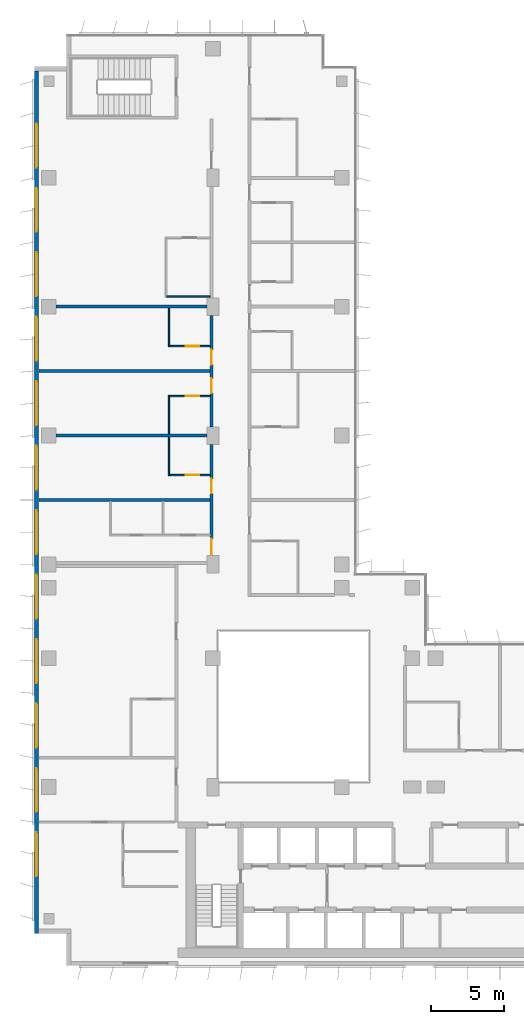
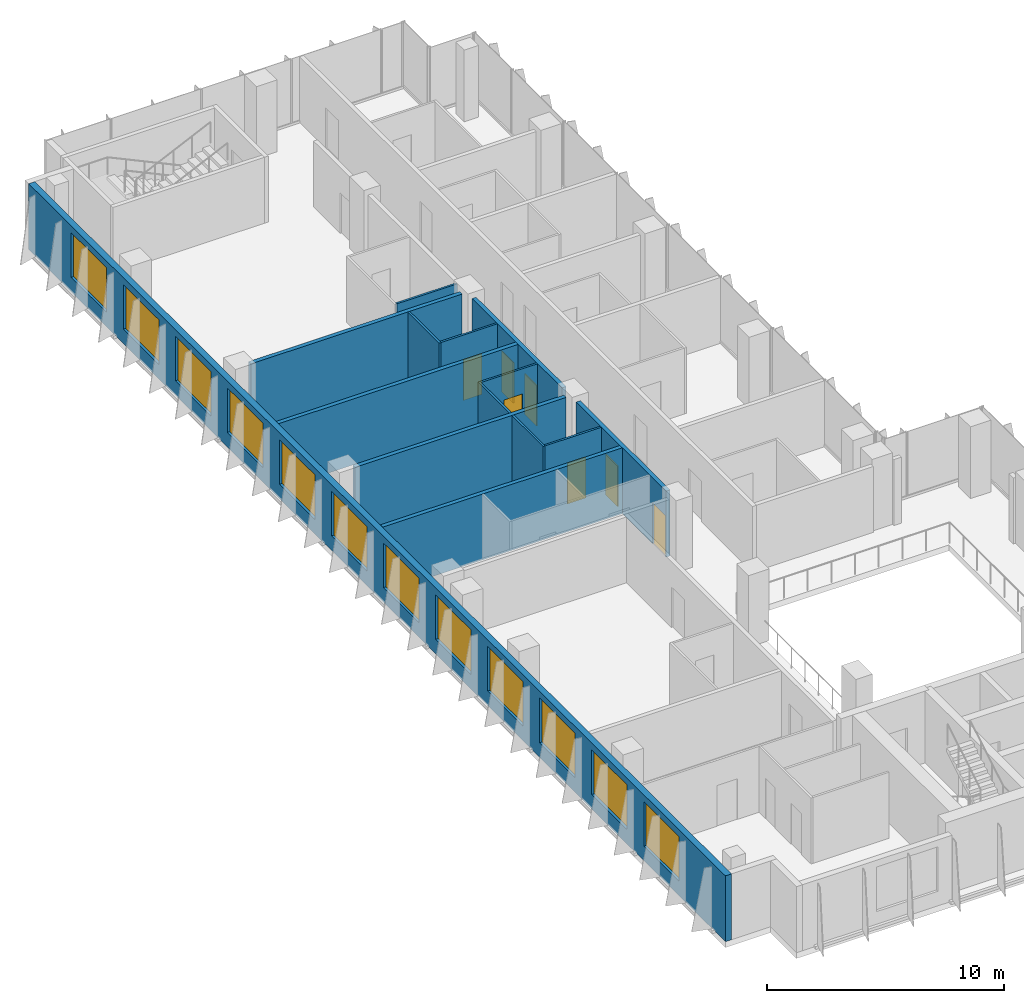
# One storey, part 16 of 21: 14 walls, 12 windows, 7 doors, 19 openings.
"""IFC4 building model written with IfcOpenShell, lengths in metres."""

from ifc_helpers import new_model, si_unit, direction, frame, frame_2d, origin, place, context, subcontext, project, spatial, rectangle, extrude, material, layer, layer_set, type_object, element, fill, save


model = new_model("IFC4")

# Units and contexts
model_context = context("Model", 3, precision=1e-05, world=origin(), true_north=direction((0.0, 1.0)))
body_context = subcontext(model_context, "Body", "Model", "MODEL_VIEW")
ifc_project = project(units=[si_unit("LENGTHUNIT", "METRE"), si_unit("AREAUNIT", "SQUARE_METRE"), si_unit("VOLUMEUNIT", "CUBIC_METRE"), si_unit("PLANEANGLEUNIT", "RADIAN"), si_unit("MASSUNIT", "GRAM", prefix="KILO")], contexts=[model_context])

# Site, building, storey
site_placement = place(None, origin())
site = spatial("IfcSite", under=ifc_project, at=site_placement, CompositionType="ELEMENT")
building_placement = place(site_placement, origin())
building = spatial("IfcBuilding", under=site, at=building_placement, Name="Kemantara Hotel Tower", CompositionType="ELEMENT")
storey_placement = place(building_placement, frame((0.0, 0.0, 164.199951171875)))
storey = spatial("IfcBuildingStorey", under=building, at=storey_placement, Name="L40", CompositionType="ELEMENT", Elevation=164.199951171875)

# Wall, openings, windows
ifc_material_1 = material(Name="Bronze anodised aluminium cladding on insulated steel stud wall", Category="steel")
ifc_layer_1 = layer(ifc_material_1, 0.300048828125)
ifc_layer_set_1 = layer_set([ifc_layer_1], Name="Bronze anodised aluminium cladding on insulated steel stud wall")
wall_type_1 = type_object("IfcWallType", Name="BRONZE METAL-CLAD EXTERNAL WALL 300", PredefinedType="STANDARD", material=ifc_layer_set_1)
wall_1_placement = place(storey_placement, frame((0.14990234375, 61.10009765625, 0.0), z_axis=(0.0, 0.0, 1.0), x_axis=(0.0, -1.0, 0.0)))
wall_1 = element("IfcWall", 1, at=wall_1_placement, inside=storey, type_object=wall_type_1, Name="EXTERNAL WALL L40 T3-R05", PredefinedType="STANDARD", context=body_context, shape_type="SweptSolid", body=[
    extrude(rectangle(XDim=58.900146484375, YDim=0.300048828125, at=frame_2d((29.4501953125, 0.0))), origin(), (0.0, 0.0, 1.0), 3.400146484375),
])
opening_1_placement = place(wall_1_placement, frame((3.60009765625, 0.0, 0.75)))
opening_1 = element("IfcOpeningElement", 2, at=opening_1_placement, cuts=wall_1, Name="Opening W1", PredefinedType="OPENING", context=body_context, shape_type="SweptSolid", body=[
    extrude(rectangle(XDim=3.0, YDim=2.300048828125, at=frame_2d((1.5, 1.14990234375))), frame((0.0, 0.159912109375, 0.0), z_axis=(0.0, -1.0, 0.0), x_axis=(1.0, 0.0, 0.0)), (0.0, 0.0, 1.0), 0.320068359375),
])
opening_2_placement = place(wall_1_placement, frame((8.0, 0.0, 0.75)))
opening_2 = element("IfcOpeningElement", 3, at=opening_2_placement, cuts=wall_1, Name="Opening W1", PredefinedType="OPENING", context=body_context, shape_type="SweptSolid", body=[
    extrude(rectangle(XDim=3.0, YDim=2.300048828125, at=frame_2d((1.5, 1.14990234375))), frame((0.0, 0.159912109375, 0.0), z_axis=(0.0, -1.0, 0.0), x_axis=(1.0, 0.0, 0.0)), (0.0, 0.0, 1.0), 0.320068359375),
])
opening_3_placement = place(wall_1_placement, frame((12.39990234375, 0.0, 0.75)))
opening_3 = element("IfcOpeningElement", 4, at=opening_3_placement, cuts=wall_1, Name="Opening W1", PredefinedType="OPENING", context=body_context, shape_type="SweptSolid", body=[
    extrude(rectangle(XDim=3.0, YDim=2.300048828125, at=frame_2d((1.5, 1.14990234375))), frame((0.0, 0.159912109375, 0.0), z_axis=(0.0, -1.0, 0.0), x_axis=(1.0, 0.0, 0.0)), (0.0, 0.0, 1.0), 0.320068359375),
])
opening_4_placement = place(wall_1_placement, frame((16.800048828125, 0.0, 0.75)))
opening_4 = element("IfcOpeningElement", 5, at=opening_4_placement, cuts=wall_1, Name="Opening W1", PredefinedType="OPENING", context=body_context, shape_type="SweptSolid", body=[
    extrude(rectangle(XDim=3.0, YDim=2.300048828125, at=frame_2d((1.5, 1.14990234375))), frame((0.0, 0.159912109375, 0.0), z_axis=(0.0, -1.0, 0.0), x_axis=(1.0, 0.0, 0.0)), (0.0, 0.0, 1.0), 0.320068359375),
])
opening_5_placement = place(wall_1_placement, frame((21.199951171875, 0.0, 0.75)))
opening_5 = element("IfcOpeningElement", 6, at=opening_5_placement, cuts=wall_1, Name="Opening W1", PredefinedType="OPENING", context=body_context, shape_type="SweptSolid", body=[
    extrude(rectangle(XDim=3.0, YDim=2.300048828125, at=frame_2d((1.5, 1.14990234375))), frame((0.0, 0.159912109375, 0.0), z_axis=(0.0, -1.0, 0.0), x_axis=(1.0, 0.0, 0.0)), (0.0, 0.0, 1.0), 0.320068359375),
])
opening_6_placement = place(wall_1_placement, frame((25.60009765625, 0.0, 0.75)))
opening_6 = element("IfcOpeningElement", 7, at=opening_6_placement, cuts=wall_1, Name="Opening W1", PredefinedType="OPENING", context=body_context, shape_type="SweptSolid", body=[
    extrude(rectangle(XDim=3.0, YDim=2.300048828125, at=frame_2d((1.5, 1.14990234375))), frame((0.0, 0.159912109375, 0.0), z_axis=(0.0, -1.0, 0.0), x_axis=(1.0, 0.0, 0.0)), (0.0, 0.0, 1.0), 0.320068359375),
])
opening_7_placement = place(wall_1_placement, frame((30.0, 0.0, 0.75)))
opening_7 = element("IfcOpeningElement", 8, at=opening_7_placement, cuts=wall_1, Name="Opening W1", PredefinedType="OPENING", context=body_context, shape_type="SweptSolid", body=[
    extrude(rectangle(XDim=3.0, YDim=2.300048828125, at=frame_2d((1.5, 1.14990234375))), frame((0.0, 0.159912109375, 0.0), z_axis=(0.0, -1.0, 0.0), x_axis=(1.0, 0.0, 0.0)), (0.0, 0.0, 1.0), 0.320068359375),
])
opening_8_placement = place(wall_1_placement, frame((34.39990234375, 0.0, 0.75)))
opening_8 = element("IfcOpeningElement", 9, at=opening_8_placement, cuts=wall_1, Name="Opening W1", PredefinedType="OPENING", context=body_context, shape_type="SweptSolid", body=[
    extrude(rectangle(XDim=3.0, YDim=2.300048828125, at=frame_2d((1.5, 1.14990234375))), frame((0.0, 0.159912109375, 0.0), z_axis=(0.0, -1.0, 0.0), x_axis=(1.0, 0.0, 0.0)), (0.0, 0.0, 1.0), 0.320068359375),
])
opening_9_placement = place(wall_1_placement, frame((38.800048828125, 0.0, 0.75)))
opening_9 = element("IfcOpeningElement", 10, at=opening_9_placement, cuts=wall_1, Name="Opening W1", PredefinedType="OPENING", context=body_context, shape_type="SweptSolid", body=[
    extrude(rectangle(XDim=3.0, YDim=2.300048828125, at=frame_2d((1.5, 1.14990234375))), frame((0.0, 0.159912109375, 0.0), z_axis=(0.0, -1.0, 0.0), x_axis=(1.0, 0.0, 0.0)), (0.0, 0.0, 1.0), 0.320068359375),
])
opening_10_placement = place(wall_1_placement, frame((43.199951171875, 0.0, 0.75)))
opening_10 = element("IfcOpeningElement", 11, at=opening_10_placement, cuts=wall_1, Name="Opening W1", PredefinedType="OPENING", context=body_context, shape_type="SweptSolid", body=[
    extrude(rectangle(XDim=3.0, YDim=2.300048828125, at=frame_2d((1.5, 1.14990234375))), frame((0.0, 0.159912109375, 0.0), z_axis=(0.0, -1.0, 0.0), x_axis=(1.0, 0.0, 0.0)), (0.0, 0.0, 1.0), 0.320068359375),
])
opening_11_placement = place(wall_1_placement, frame((47.60009765625, 0.0, 0.75)))
opening_11 = element("IfcOpeningElement", 12, at=opening_11_placement, cuts=wall_1, Name="Opening W1", PredefinedType="OPENING", context=body_context, shape_type="SweptSolid", body=[
    extrude(rectangle(XDim=3.0, YDim=2.300048828125, at=frame_2d((1.5, 1.14990234375))), frame((0.0, 0.159912109375, 0.0), z_axis=(0.0, -1.0, 0.0), x_axis=(1.0, 0.0, 0.0)), (0.0, 0.0, 1.0), 0.320068359375),
])
opening_12_placement = place(wall_1_placement, frame((52.0, 0.0, 0.75)))
opening_12 = element("IfcOpeningElement", 13, at=opening_12_placement, cuts=wall_1, Name="Opening W1", PredefinedType="OPENING", context=body_context, shape_type="SweptSolid", body=[
    extrude(rectangle(XDim=3.0, YDim=2.300048828125, at=frame_2d((1.5, 1.14990234375))), frame((0.0, 0.159912109375, 0.0), z_axis=(0.0, -1.0, 0.0), x_axis=(1.0, 0.0, 0.0)), (0.0, 0.0, 1.0), 0.320068359375),
])
ifc_material_2 = material(Name="Low-E tinted double insulated glass in bronze anodised aluminium frame", Category="aluminium")
window_type = type_object("IfcWindowType", Name="CHICAGO WINDOW, TRIPLE PANEL 3000x2300", PartitioningType="TRIPLE_PANEL_VERTICAL", PredefinedType="WINDOW", material=ifc_material_2)
window_1_placement = place(opening_1_placement, origin())
window_1 = element("IfcWindow", 14, at=window_1_placement, inside=storey, type_object=window_type, Name="CHICAGO WINDOW L40 T3-R05-54", OverallHeight=2.300048828125, OverallWidth=3.0, PartitioningType="SINGLE_PANEL", PredefinedType="WINDOW", context=body_context, shape_type="SweptSolid", body=[
    extrude(rectangle(XDim=3.0, YDim=2.300048828125, at=frame_2d((1.5, 1.14990234375))), frame((0.0, 0.030029296875, 0.0), z_axis=(0.0, -1.0, 0.0), x_axis=(1.0, 0.0, 0.0)), (0.0, 0.0, 1.0), 0.06005859375),
])
fill(opening_1, window_1)
window_2_placement = place(opening_2_placement, origin())
window_2 = element("IfcWindow", 15, at=window_2_placement, inside=storey, type_object=window_type, Name="CHICAGO WINDOW L40 T3-R05-98", OverallHeight=2.300048828125, OverallWidth=3.0, PartitioningType="SINGLE_PANEL", PredefinedType="WINDOW", context=body_context, shape_type="SweptSolid", body=[
    extrude(rectangle(XDim=3.0, YDim=2.300048828125, at=frame_2d((1.5, 1.14990234375))), frame((0.0, 0.030029296875, 0.0), z_axis=(0.0, -1.0, 0.0), x_axis=(1.0, 0.0, 0.0)), (0.0, 0.0, 1.0), 0.06005859375),
])
fill(opening_2, window_2)
window_3_placement = place(opening_3_placement, origin())
window_3 = element("IfcWindow", 16, at=window_3_placement, inside=storey, type_object=window_type, Name="CHICAGO WINDOW L40 T3-R05-142", OverallHeight=2.300048828125, OverallWidth=3.0, PartitioningType="SINGLE_PANEL", PredefinedType="WINDOW", context=body_context, shape_type="SweptSolid", body=[
    extrude(rectangle(XDim=3.0, YDim=2.300048828125, at=frame_2d((1.5, 1.14990234375))), frame((0.0, 0.030029296875, 0.0), z_axis=(0.0, -1.0, 0.0), x_axis=(1.0, 0.0, 0.0)), (0.0, 0.0, 1.0), 0.06005859375),
])
fill(opening_3, window_3)
window_4_placement = place(opening_4_placement, origin())
window_4 = element("IfcWindow", 17, at=window_4_placement, inside=storey, type_object=window_type, Name="CHICAGO WINDOW L40 T3-R05-186", OverallHeight=2.300048828125, OverallWidth=3.0, PartitioningType="SINGLE_PANEL", PredefinedType="WINDOW", context=body_context, shape_type="SweptSolid", body=[
    extrude(rectangle(XDim=3.0, YDim=2.300048828125, at=frame_2d((1.5, 1.14990234375))), frame((0.0, 0.030029296875, 0.0), z_axis=(0.0, -1.0, 0.0), x_axis=(1.0, 0.0, 0.0)), (0.0, 0.0, 1.0), 0.06005859375),
])
fill(opening_4, window_4)
window_5_placement = place(opening_5_placement, origin())
window_5 = element("IfcWindow", 18, at=window_5_placement, inside=storey, type_object=window_type, Name="CHICAGO WINDOW L40 T3-R05-230", OverallHeight=2.300048828125, OverallWidth=3.0, PartitioningType="SINGLE_PANEL", PredefinedType="WINDOW", context=body_context, shape_type="SweptSolid", body=[
    extrude(rectangle(XDim=3.0, YDim=2.300048828125, at=frame_2d((1.5, 1.14990234375))), frame((0.0, 0.030029296875, 0.0), z_axis=(0.0, -1.0, 0.0), x_axis=(1.0, 0.0, 0.0)), (0.0, 0.0, 1.0), 0.06005859375),
])
fill(opening_5, window_5)
window_6_placement = place(opening_6_placement, origin())
window_6 = element("IfcWindow", 19, at=window_6_placement, inside=storey, type_object=window_type, Name="CHICAGO WINDOW L40 T3-R05-274", OverallHeight=2.300048828125, OverallWidth=3.0, PartitioningType="SINGLE_PANEL", PredefinedType="WINDOW", context=body_context, shape_type="SweptSolid", body=[
    extrude(rectangle(XDim=3.0, YDim=2.300048828125, at=frame_2d((1.5, 1.14990234375))), frame((0.0, 0.030029296875, 0.0), z_axis=(0.0, -1.0, 0.0), x_axis=(1.0, 0.0, 0.0)), (0.0, 0.0, 1.0), 0.06005859375),
])
fill(opening_6, window_6)
window_7_placement = place(opening_7_placement, origin())
window_7 = element("IfcWindow", 20, at=window_7_placement, inside=storey, type_object=window_type, Name="CHICAGO WINDOW L40 T3-R05-318", OverallHeight=2.300048828125, OverallWidth=3.0, PartitioningType="SINGLE_PANEL", PredefinedType="WINDOW", context=body_context, shape_type="SweptSolid", body=[
    extrude(rectangle(XDim=3.0, YDim=2.300048828125, at=frame_2d((1.5, 1.14990234375))), frame((0.0, 0.030029296875, 0.0), z_axis=(0.0, -1.0, 0.0), x_axis=(1.0, 0.0, 0.0)), (0.0, 0.0, 1.0), 0.06005859375),
])
fill(opening_7, window_7)
window_8_placement = place(opening_8_placement, origin())
window_8 = element("IfcWindow", 21, at=window_8_placement, inside=storey, type_object=window_type, Name="CHICAGO WINDOW L40 T3-R05-362", OverallHeight=2.300048828125, OverallWidth=3.0, PartitioningType="SINGLE_PANEL", PredefinedType="WINDOW", context=body_context, shape_type="SweptSolid", body=[
    extrude(rectangle(XDim=3.0, YDim=2.300048828125, at=frame_2d((1.5, 1.14990234375))), frame((0.0, 0.030029296875, 0.0), z_axis=(0.0, -1.0, 0.0), x_axis=(1.0, 0.0, 0.0)), (0.0, 0.0, 1.0), 0.06005859375),
])
fill(opening_8, window_8)
window_9_placement = place(opening_9_placement, origin())
window_9 = element("IfcWindow", 22, at=window_9_placement, inside=storey, type_object=window_type, Name="CHICAGO WINDOW L40 T3-R05-406", OverallHeight=2.300048828125, OverallWidth=3.0, PartitioningType="SINGLE_PANEL", PredefinedType="WINDOW", context=body_context, shape_type="SweptSolid", body=[
    extrude(rectangle(XDim=3.0, YDim=2.300048828125, at=frame_2d((1.5, 1.14990234375))), frame((0.0, 0.030029296875, 0.0), z_axis=(0.0, -1.0, 0.0), x_axis=(1.0, 0.0, 0.0)), (0.0, 0.0, 1.0), 0.06005859375),
])
fill(opening_9, window_9)
window_10_placement = place(opening_10_placement, origin())
window_10 = element("IfcWindow", 23, at=window_10_placement, inside=storey, type_object=window_type, Name="CHICAGO WINDOW L40 T3-R05-450", OverallHeight=2.300048828125, OverallWidth=3.0, PartitioningType="SINGLE_PANEL", PredefinedType="WINDOW", context=body_context, shape_type="SweptSolid", body=[
    extrude(rectangle(XDim=3.0, YDim=2.300048828125, at=frame_2d((1.5, 1.14990234375))), frame((0.0, 0.030029296875, 0.0), z_axis=(0.0, -1.0, 0.0), x_axis=(1.0, 0.0, 0.0)), (0.0, 0.0, 1.0), 0.06005859375),
])
fill(opening_10, window_10)
window_11_placement = place(opening_11_placement, origin())
window_11 = element("IfcWindow", 24, at=window_11_placement, inside=storey, type_object=window_type, Name="CHICAGO WINDOW L40 T3-R05-494", OverallHeight=2.300048828125, OverallWidth=3.0, PartitioningType="SINGLE_PANEL", PredefinedType="WINDOW", context=body_context, shape_type="SweptSolid", body=[
    extrude(rectangle(XDim=3.0, YDim=2.300048828125, at=frame_2d((1.5, 1.14990234375))), frame((0.0, 0.030029296875, 0.0), z_axis=(0.0, -1.0, 0.0), x_axis=(1.0, 0.0, 0.0)), (0.0, 0.0, 1.0), 0.06005859375),
])
fill(opening_11, window_11)
window_12_placement = place(opening_12_placement, origin())
window_12 = element("IfcWindow", 25, at=window_12_placement, inside=storey, type_object=window_type, Name="CHICAGO WINDOW L40 T3-R05-538", OverallHeight=2.300048828125, OverallWidth=3.0, PartitioningType="SINGLE_PANEL", PredefinedType="WINDOW", context=body_context, shape_type="SweptSolid", body=[
    extrude(rectangle(XDim=3.0, YDim=2.300048828125, at=frame_2d((1.5, 1.14990234375))), frame((0.0, 0.030029296875, 0.0), z_axis=(0.0, -1.0, 0.0), x_axis=(1.0, 0.0, 0.0)), (0.0, 0.0, 1.0), 0.06005859375),
])
fill(opening_12, window_12)

# Wall, openings, doors
ifc_material_3 = material(Name="Gypsum board partition, steel studs and mineral wool, 200 mm", Category="steel")
ifc_layer_2 = layer(ifc_material_3, 0.199951171875)
ifc_layer_set_2 = layer_set([ifc_layer_2], Name="Gypsum board partition, steel studs and mineral wool, 200 mm")
wall_type_2 = type_object("IfcWallType", Name="CORRIDOR WALL 200", PredefinedType="PARTITIONING", material=ifc_layer_set_2)
wall_2_placement = place(storey_placement, frame((12.10009765625, 28.0, 0.0), z_axis=(0.0, 0.0, 1.0), x_axis=(0.0, 1.0, 0.0)))
wall_2 = element("IfcWall", 26, at=wall_2_placement, inside=storey, type_object=wall_type_2, Name="CORRIDOR WALL 200 015", PredefinedType="PARTITIONING", context=body_context, shape_type="SweptSolid", body=[
    extrude(rectangle(XDim=7.599853515625, YDim=0.199951171875, at=frame_2d((3.7998046875, 0.0))), origin(), (0.0, 0.0, 1.0), 3.400146484375),
])
opening_13_placement = place(wall_2_placement, frame((0.0498046875, 0.0, 0.0)))
opening_13 = element("IfcOpeningElement", 27, at=opening_13_placement, cuts=wall_2, Name="Opening F18-021", PredefinedType="OPENING", context=body_context, shape_type="SweptSolid", body=[
    extrude(rectangle(XDim=1.10009765625, YDim=2.10009765625, at=frame_2d((0.550048828125, 1.050048828125))), frame((0.0, 0.10986328125, 0.0), z_axis=(0.0, -1.0, 0.0), x_axis=(1.0, 0.0, 0.0)), (0.0, 0.0, 1.0), 0.219970703125),
])
opening_14_placement = place(wall_2_placement, frame((4.25, 0.0, 0.0)))
opening_14 = element("IfcOpeningElement", 28, at=opening_14_placement, cuts=wall_2, Name="Opening F18-024", PredefinedType="OPENING", context=body_context, shape_type="SweptSolid", body=[
    extrude(rectangle(XDim=1.0, YDim=2.10009765625, at=frame_2d((0.5, 1.050048828125))), frame((0.0, 0.10986328125, 0.0), z_axis=(0.0, -1.0, 0.0), x_axis=(1.0, 0.0, 0.0)), (0.0, 0.0, 1.0), 0.219970703125),
])
ifc_material_4 = material(Name="Hardwood veneer door leaf with steel frame", Category="steel")
door_type_1 = type_object("IfcDoorType", Name="GUEST ROOM DOOR 1000 X 2100 FD30S", OperationType="NOTDEFINED", PredefinedType="DOOR", material=ifc_material_4)
door_1_placement = place(opening_14_placement, origin())
door_1 = element("IfcDoor", 29, at=door_1_placement, inside=storey, type_object=door_type_1, Name="GUEST ROOM DOOR F18-024", OperationType="SINGLE_SWING_LEFT", OverallHeight=2.10009765625, OverallWidth=1.0, PredefinedType="DOOR", context=body_context, shape_type="SweptSolid", body=[
    extrude(rectangle(XDim=1.0, YDim=2.10009765625, at=frame_2d((0.5, 1.050048828125))), frame((0.0, 0.02490234375, 0.0), z_axis=(0.0, -1.0, 0.0), x_axis=(1.0, 0.0, 0.0)), (0.0, 0.0, 1.0), 0.050048828125),
])
fill(opening_14, door_1)
door_type_2 = type_object("IfcDoorType", Name="GUEST ROOM DOOR 1100 X 2100 FD30S", OperationType="NOTDEFINED", PredefinedType="DOOR", material=ifc_material_4)
door_2_placement = place(opening_13_placement, origin())
door_2 = element("IfcDoor", 30, at=door_2_placement, inside=storey, type_object=door_type_2, Name="GUEST ROOM DOOR F18-021", OperationType="SINGLE_SWING_LEFT", OverallHeight=2.10009765625, OverallWidth=1.10009765625, PredefinedType="DOOR", context=body_context, shape_type="SweptSolid", body=[
    extrude(rectangle(XDim=1.10009765625, YDim=2.10009765625, at=frame_2d((0.550048828125, 1.050048828125))), frame((0.0, 0.02490234375, 0.0), z_axis=(0.0, -1.0, 0.0), x_axis=(1.0, 0.0, 0.0)), (0.0, 0.0, 1.0), 0.050048828125),
])
fill(opening_13, door_2)

wall_3_placement = place(storey_placement, frame((12.10009765625, 36.800048828125, 0.0), z_axis=(0.0, 0.0, 1.0), x_axis=(0.0, 1.0, 0.0)))
wall_3 = element("IfcWall", 31, at=wall_3_placement, inside=storey, type_object=wall_type_2, Name="CORRIDOR WALL 200 016", PredefinedType="PARTITIONING", context=body_context, shape_type="SweptSolid", body=[
    extrude(rectangle(XDim=7.599853515625, YDim=0.199951171875, at=frame_2d((3.7998046875, 0.0))), origin(), (0.0, 0.0, 1.0), 3.400146484375),
])
opening_15_placement = place(wall_3_placement, frame((2.2998046875, 0.0, 0.0)))
opening_15 = element("IfcOpeningElement", 32, at=opening_15_placement, cuts=wall_3, Name="Opening F18-026", PredefinedType="OPENING", context=body_context, shape_type="SweptSolid", body=[
    extrude(rectangle(XDim=1.0, YDim=2.10009765625, at=frame_2d((0.5, 1.050048828125))), frame((0.0, 0.10986328125, 0.0), z_axis=(0.0, -1.0, 0.0), x_axis=(1.0, 0.0, 0.0)), (0.0, 0.0, 1.0), 0.219970703125),
])
opening_16_placement = place(wall_3_placement, frame((4.25, 0.0, 0.0)))
opening_16 = element("IfcOpeningElement", 33, at=opening_16_placement, cuts=wall_3, Name="Opening F18-028", PredefinedType="OPENING", context=body_context, shape_type="SweptSolid", body=[
    extrude(rectangle(XDim=1.0, YDim=2.10009765625, at=frame_2d((0.5, 1.050048828125))), frame((0.0, 0.10986328125, 0.0), z_axis=(0.0, -1.0, 0.0), x_axis=(1.0, 0.0, 0.0)), (0.0, 0.0, 1.0), 0.219970703125),
])
door_3_placement = place(opening_15_placement, origin())
door_3 = element("IfcDoor", 34, at=door_3_placement, inside=storey, type_object=door_type_1, Name="GUEST ROOM DOOR F18-026", OperationType="SINGLE_SWING_RIGHT", OverallHeight=2.10009765625, OverallWidth=1.0, PredefinedType="DOOR", context=body_context, shape_type="SweptSolid", body=[
    extrude(rectangle(XDim=1.0, YDim=2.10009765625, at=frame_2d((0.5, 1.050048828125))), frame((0.0, 0.02490234375, 0.0), z_axis=(0.0, -1.0, 0.0), x_axis=(1.0, 0.0, 0.0)), (0.0, 0.0, 1.0), 0.050048828125),
])
fill(opening_15, door_3)
door_4_placement = place(opening_16_placement, origin())
door_4 = element("IfcDoor", 35, at=door_4_placement, inside=storey, type_object=door_type_1, Name="GUEST ROOM DOOR F18-028", OperationType="SINGLE_SWING_LEFT", OverallHeight=2.10009765625, OverallWidth=1.0, PredefinedType="DOOR", context=body_context, shape_type="SweptSolid", body=[
    extrude(rectangle(XDim=1.0, YDim=2.10009765625, at=frame_2d((0.5, 1.050048828125))), frame((0.0, 0.02490234375, 0.0), z_axis=(0.0, -1.0, 0.0), x_axis=(1.0, 0.0, 0.0)), (0.0, 0.0, 1.0), 0.050048828125),
])
fill(opening_16, door_4)

# Walls
ifc_layer_3 = layer(ifc_material_3, 0.199951171875)
ifc_layer_set_3 = layer_set([ifc_layer_3], Name="Gypsum board partition, steel studs and mineral wool, 200 mm")
wall_type_3 = type_object("IfcWallType", Name="GUEST ROOM PARTY WALL 200", PredefinedType="PARTITIONING", material=ifc_layer_set_3)
wall_4_placement = place(storey_placement, frame((0.31005859375, 31.800048828125, 0.0), z_axis=(0.0, 0.0, 1.0), x_axis=(1.0, 0.0, 0.0)))
element("IfcWall", 36, at=wall_4_placement, inside=storey, type_object=wall_type_3, Name="GUEST ROOM PARTY WALL 200 020", PredefinedType="PARTITIONING", context=body_context, shape_type="SweptSolid", body=[
    extrude(rectangle(XDim=11.68994140625, YDim=0.199951171875, at=frame_2d((5.844970703125, 0.0))), origin(), (0.0, 0.0, 1.0), 3.400146484375),
])
wall_5_placement = place(storey_placement, frame((1.5, 36.199951171875, 0.0), z_axis=(0.0, 0.0, 1.0), x_axis=(1.0, 0.0, 0.0)))
element("IfcWall", 37, at=wall_5_placement, inside=storey, type_object=wall_type_3, Name="GUEST ROOM PARTY WALL 200 022", PredefinedType="PARTITIONING", context=body_context, shape_type="SweptSolid", body=[
    extrude(rectangle(XDim=10.2998046875, YDim=0.199951171875, at=frame_2d((5.14990234375, 0.0))), origin(), (0.0, 0.0, 1.0), 3.400146484375),
])
wall_6_placement = place(storey_placement, frame((0.31005859375, 40.60009765625, 0.0), z_axis=(0.0, 0.0, 1.0), x_axis=(1.0, 0.0, 0.0)))
element("IfcWall", 38, at=wall_6_placement, inside=storey, type_object=wall_type_3, Name="GUEST ROOM PARTY WALL 200 023", PredefinedType="PARTITIONING", context=body_context, shape_type="SweptSolid", body=[
    extrude(rectangle(XDim=11.68994140625, YDim=0.199951171875, at=frame_2d((5.844970703125, 0.0))), origin(), (0.0, 0.0, 1.0), 3.400146484375),
])
wall_7_placement = place(storey_placement, frame((1.5, 45.0, 0.0), z_axis=(0.0, 0.0, 1.0), x_axis=(1.0, 0.0, 0.0)))
element("IfcWall", 39, at=wall_7_placement, inside=storey, type_object=wall_type_3, Name="GUEST ROOM PARTY WALL 200 025", PredefinedType="PARTITIONING", context=body_context, shape_type="SweptSolid", body=[
    extrude(rectangle(XDim=10.2998046875, YDim=0.199951171875, at=frame_2d((5.14990234375, 0.0))), origin(), (0.0, 0.0, 1.0), 3.400146484375),
])
ifc_material_5 = material(Name="Gypsum board partition on steel studs, 100 mm", Category="steel")
ifc_layer_4 = layer(ifc_material_5, 0.10009765625)
ifc_layer_set_4 = layer_set([ifc_layer_4], Name="Gypsum board partition on steel studs, 100 mm")
wall_type_4 = type_object("IfcWallType", Name="ROOM PARTITION 100", PredefinedType="PARTITIONING", material=ifc_layer_set_4)
wall_8_placement = place(storey_placement, frame((9.199951171875, 33.449951171875, 0.0), z_axis=(0.0, 0.0, 1.0), x_axis=(0.0, 1.0, 0.0)))
element("IfcWall", 40, at=wall_8_placement, inside=storey, type_object=wall_type_4, Name="ROOM PARTITION 100 057", PredefinedType="PARTITIONING", context=body_context, shape_type="SweptSolid", body=[
    extrude(rectangle(XDim=2.650146484375, YDim=0.10009765625, at=frame_2d((1.3251953125, 0.0))), origin(), (0.0, 0.0, 1.0), 3.400146484375),
])
for number, where, z_axis, x_axis, name in (
    (41, (9.199951171875, 36.300048828125, 0.0), (0.0, 0.0, 1.0), (0.0, 1.0, 0.0), "ROOM PARTITION 100 058"),
    (42, (9.199951171875, 42.25, 0.0), (0.0, 0.0, 1.0), (0.0, 1.0, 0.0), "ROOM PARTITION 100 059"),
):
    element("IfcWall", number, at=place(storey_placement, frame(where, z_axis=z_axis, x_axis=x_axis)), inside=storey, type_object=wall_type_4, Name=name, PredefinedType="PARTITIONING", context=body_context, shape_type="SweptSolid", body=[
        extrude(rectangle(XDim=2.64990234375, YDim=0.10009765625, at=frame_2d((1.324951171875, 0.0))), origin(), (0.0, 0.0, 1.0), 3.400146484375),
    ])

# Wall, opening, door
wall_9_placement = place(storey_placement, frame((9.25, 33.5, 0.0), z_axis=(0.0, 0.0, 1.0), x_axis=(1.0, 0.0, 0.0)))
wall_9 = element("IfcWall", 43, at=wall_9_placement, inside=storey, type_object=wall_type_4, Name="ROOM PARTITION 100 060", PredefinedType="PARTITIONING", context=body_context, shape_type="SweptSolid", body=[
    extrude(rectangle(XDim=2.75, YDim=0.10009765625, at=frame_2d((1.375, 0.0))), origin(), (0.0, 0.0, 1.0), 3.400146484375),
])
opening_17_placement = place(wall_9_placement, frame((1.10009765625, 0.0, 0.0)))
opening_17 = element("IfcOpeningElement", 44, at=opening_17_placement, cuts=wall_9, Name="Opening F18-025", PredefinedType="OPENING", context=body_context, shape_type="SweptSolid", body=[
    extrude(rectangle(XDim=0.89990234375, YDim=2.10009765625, at=frame_2d((0.449951171875, 1.050048828125))), frame((0.0, 0.06005859375, 0.0), z_axis=(0.0, -1.0, 0.0), x_axis=(1.0, 0.0, 0.0)), (0.0, 0.0, 1.0), 0.1201171875),
])
door_type_3 = type_object("IfcDoorType", Name="BATHROOM DOOR 900 X 2100", OperationType="NOTDEFINED", PredefinedType="DOOR", material=ifc_material_4)
door_5_placement = place(opening_17_placement, origin())
door_5 = element("IfcDoor", 45, at=door_5_placement, inside=storey, type_object=door_type_3, Name="BATHROOM DOOR F18-025", OperationType="SINGLE_SWING_RIGHT", OverallHeight=2.10009765625, OverallWidth=0.89990234375, PredefinedType="DOOR", context=body_context, shape_type="SweptSolid", body=[
    extrude(rectangle(XDim=0.89990234375, YDim=2.10009765625, at=frame_2d((0.449951171875, 1.050048828125))), frame((0.0, 0.02490234375, 0.0), z_axis=(0.0, -1.0, 0.0), x_axis=(1.0, 0.0, 0.0)), (0.0, 0.0, 1.0), 0.050048828125),
])
fill(opening_17, door_5)

wall_10_placement = place(storey_placement, frame((12.0, 38.89990234375, 0.0), z_axis=(0.0, 0.0, 1.0), x_axis=(-1.0, 0.0, 0.0)))
wall_10 = element("IfcWall", 46, at=wall_10_placement, inside=storey, type_object=wall_type_4, Name="ROOM PARTITION 100 061", PredefinedType="PARTITIONING", context=body_context, shape_type="SweptSolid", body=[
    extrude(rectangle(XDim=2.75, YDim=0.10009765625, at=frame_2d((1.375, 0.0))), origin(), (0.0, 0.0, 1.0), 3.400146484375),
])
opening_18_placement = place(wall_10_placement, frame((0.75, 0.0, 0.0)))
opening_18 = element("IfcOpeningElement", 47, at=opening_18_placement, cuts=wall_10, Name="Opening F18-027", PredefinedType="OPENING", context=body_context, shape_type="SweptSolid", body=[
    extrude(rectangle(XDim=0.89990234375, YDim=2.10009765625, at=frame_2d((0.449951171875, 1.050048828125))), frame((0.0, 0.06005859375, 0.0), z_axis=(0.0, -1.0, 0.0), x_axis=(1.0, 0.0, 0.0)), (0.0, 0.0, 1.0), 0.1201171875),
])
door_6_placement = place(opening_18_placement, origin())
door_6 = element("IfcDoor", 48, at=door_6_placement, inside=storey, type_object=door_type_3, Name="BATHROOM DOOR F18-027", OperationType="SINGLE_SWING_LEFT", OverallHeight=2.10009765625, OverallWidth=0.89990234375, PredefinedType="DOOR", context=body_context, shape_type="SweptSolid", body=[
    extrude(rectangle(XDim=0.89990234375, YDim=2.10009765625, at=frame_2d((0.449951171875, 1.050048828125))), frame((0.0, 0.02490234375, 0.0), z_axis=(0.0, -1.0, 0.0), x_axis=(1.0, 0.0, 0.0)), (0.0, 0.0, 1.0), 0.050048828125),
])
fill(opening_18, door_6)

wall_11_placement = place(storey_placement, frame((9.25, 42.300048828125, 0.0), z_axis=(0.0, 0.0, 1.0), x_axis=(1.0, 0.0, 0.0)))
wall_11 = element("IfcWall", 49, at=wall_11_placement, inside=storey, type_object=wall_type_4, Name="ROOM PARTITION 100 062", PredefinedType="PARTITIONING", context=body_context, shape_type="SweptSolid", body=[
    extrude(rectangle(XDim=2.75, YDim=0.10009765625, at=frame_2d((1.375, 0.0))), origin(), (0.0, 0.0, 1.0), 3.400146484375),
])
opening_19_placement = place(wall_11_placement, frame((1.10009765625, 0.0, 0.0)))
opening_19 = element("IfcOpeningElement", 50, at=opening_19_placement, cuts=wall_11, Name="Opening F18-029", PredefinedType="OPENING", context=body_context, shape_type="SweptSolid", body=[
    extrude(rectangle(XDim=0.89990234375, YDim=2.10009765625, at=frame_2d((0.449951171875, 1.050048828125))), frame((0.0, 0.06005859375, 0.0), z_axis=(0.0, -1.0, 0.0), x_axis=(1.0, 0.0, 0.0)), (0.0, 0.0, 1.0), 0.1201171875),
])
door_7_placement = place(opening_19_placement, origin())
door_7 = element("IfcDoor", 51, at=door_7_placement, inside=storey, type_object=door_type_3, Name="BATHROOM DOOR F18-029", OperationType="SINGLE_SWING_RIGHT", OverallHeight=2.10009765625, OverallWidth=0.89990234375, PredefinedType="DOOR", context=body_context, shape_type="SweptSolid", body=[
    extrude(rectangle(XDim=0.89990234375, YDim=2.10009765625, at=frame_2d((0.449951171875, 1.050048828125))), frame((0.0, 0.02490234375, 0.0), z_axis=(0.0, -1.0, 0.0), x_axis=(1.0, 0.0, 0.0)), (0.0, 0.0, 1.0), 0.050048828125),
])
fill(opening_19, door_7)

# Wall
wall_12_placement = place(storey_placement, frame((9.050048828125, 45.699951171875, 0.0), z_axis=(0.0, 0.0, 1.0), x_axis=(1.0, 0.0, 0.0)))
element("IfcWall", 52, at=wall_12_placement, inside=storey, type_object=wall_type_4, Name="ROOM PARTITION 100 064", PredefinedType="PARTITIONING", context=body_context, shape_type="SweptSolid", body=[
    extrude(rectangle(XDim=2.949951171875, YDim=0.10009765625, at=frame_2d((1.47509765625, 0.0))), origin(), (0.0, 0.0, 1.0), 3.400146484375),
])

save(model, "model.ifc")
